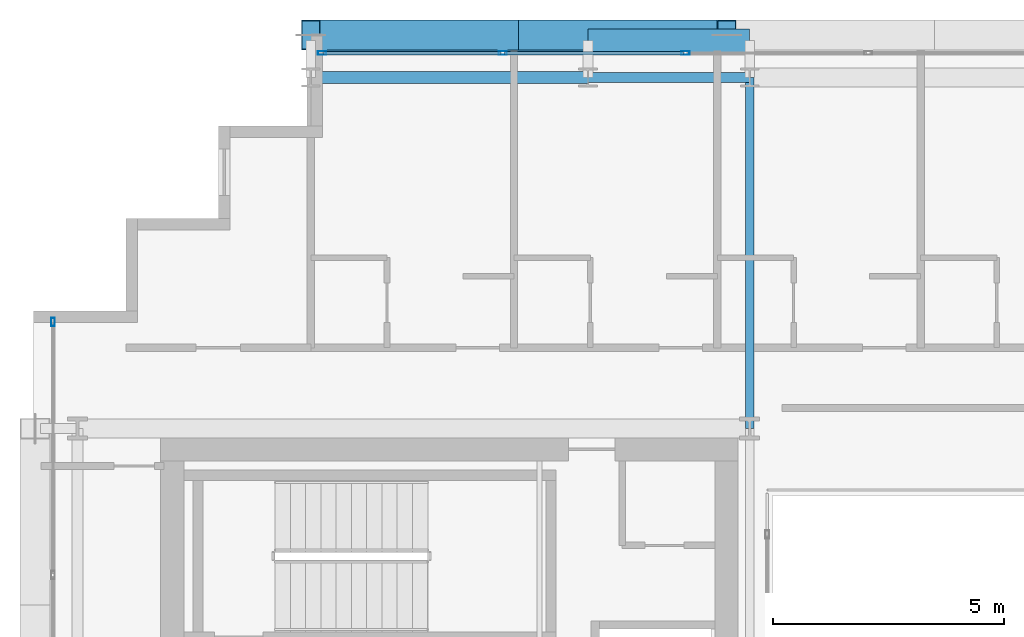
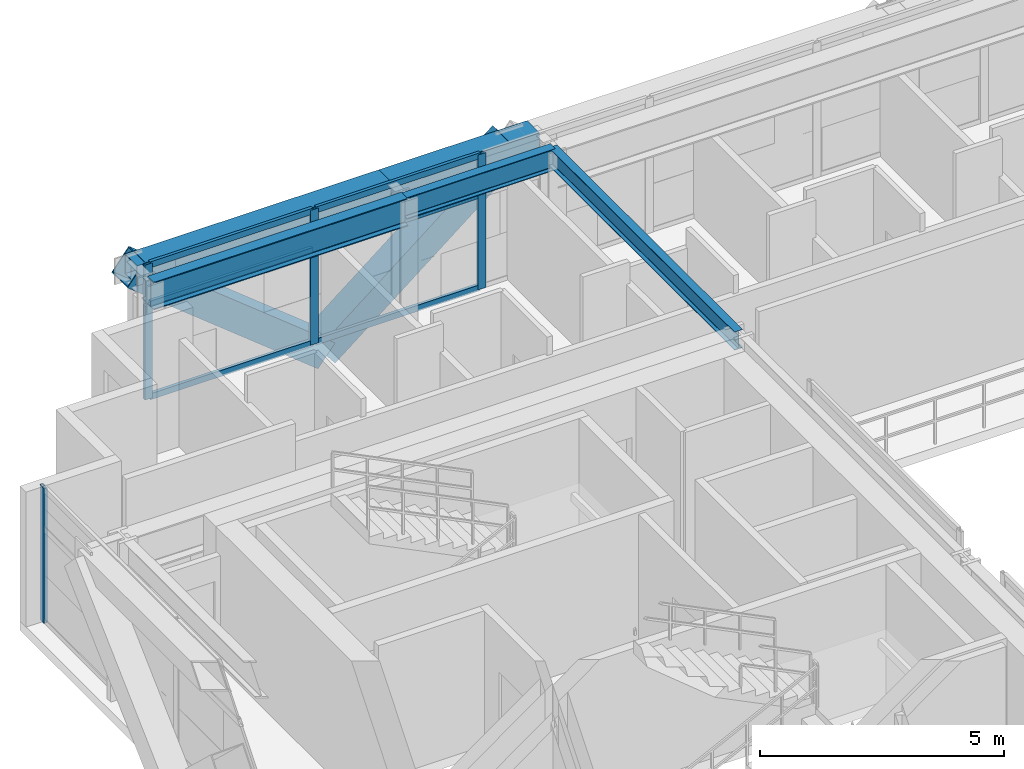
# One storey, part 20 of 38: 12 members, 5 beams, 2 elements without a shape of their own.
"""IFC4 building model written with IfcOpenShell, lengths in metres."""

from ifc_helpers import new_model, si_unit, direction, frame, origin, origin_2d, place, context, subcontext, project, spatial, hollow_rectangle, i_section, extrude, source, transform, mapped, material, layer, layer_set, material_profile, profile_set, type_object, element, aggregate, save


model = new_model("IFC4")

# Units and contexts
model_context = context("Model", 3, precision=1e-05, world=origin(), true_north=direction((0.0, 1.0)))
body_context = subcontext(model_context, "Body", "Model", "MODEL_VIEW")
ifc_project = project(units=[si_unit("LENGTHUNIT", "METRE"), si_unit("AREAUNIT", "SQUARE_METRE"), si_unit("VOLUMEUNIT", "CUBIC_METRE"), si_unit("PLANEANGLEUNIT", "RADIAN"), si_unit("MASSUNIT", "GRAM", prefix="KILO")], contexts=[model_context])

# Site, building, storey
site_placement = place(None, origin())
site = spatial("IfcSite", under=ifc_project, at=site_placement, CompositionType="ELEMENT")
building_placement = place(site_placement, origin())
building = spatial("IfcBuilding", under=site, at=building_placement, Name="Ocotamira Hotel", CompositionType="ELEMENT")
storey_placement = place(building_placement, frame((0.0, 0.0, 170.39990234375)))
storey = spatial("IfcBuildingStorey", under=building, at=storey_placement, Name="L42", CompositionType="ELEMENT", Elevation=170.39990234375)

# Beams
ifc_material_1 = material(Name="Steel ASTM A992 Grade 50", Category="steel")
ifc_material_profile_1 = material_profile(ifc_material_1, i_section(OverallWidth=0.256103515625, OverallDepth=0.693115234375, WebThickness=0.014404296875, FlangeThickness=0.023681640625, FilletRadius=0.01611328125, at=origin_2d()), Name="W27X114")
ifc_profile_set_1 = profile_set([ifc_material_profile_1], Name="Steel ASTM A992 Grade 50")
beam_type_1 = type_object("IfcBeamType", Name="BM-PRIM-W27X114", PredefinedType="BEAM", material=ifc_profile_set_1)
shared_shape_1 = source(origin(), body_context, "Body", "SweptSolid", [
    extrude(i_section(OverallWidth=0.256103515625, OverallDepth=0.693115234375, WebThickness=0.014404296875, FlangeThickness=0.023681640625, FilletRadius=0.01611328125, at=origin_2d()), origin(), (0.0, 0.0, 1.0), 6.0),
])
beam_1_placement = place(storey_placement, frame((14.0, 45.050048828125, 3.023681640625), z_axis=(1.0, 0.0, 0.0), x_axis=(0.0, 1.0, 0.0)))
element("IfcBeam", 1, at=beam_1_placement, inside=storey, type_object=beam_type_1, Name="L42 Girder Y45.05 X14-20", PredefinedType="BEAM", context=body_context, shape_type="MappedRepresentation", body=[
    mapped(shared_shape_1, transform((0.0, 0.0, 0.0), scale=1.0)),
])
ifc_material_profile_2 = material_profile(ifc_material_1, i_section(OverallWidth=0.2099609375, OverallDepth=0.537109375, WebThickness=0.010986328125, FlangeThickness=0.017333984375, FilletRadius=0.012939453125, at=origin_2d()), Name="W21X68")
ifc_profile_set_2 = profile_set([ifc_material_profile_2], Name="Steel ASTM A992 Grade 50")
beam_type_2 = type_object("IfcBeamType", Name="BM-SEC-W21X68", PredefinedType="JOIST", material=ifc_profile_set_2)
shared_shape_2 = source(origin(), body_context, "Body", "SweptSolid", [
    extrude(i_section(OverallWidth=0.2099609375, OverallDepth=0.537109375, WebThickness=0.010986328125, FlangeThickness=0.017333984375, FilletRadius=0.012939453125, at=origin_2d()), origin(), (0.0, 0.0, 1.0), 3.5),
])
beam_2_placement = place(storey_placement, frame((20.0, 45.050048828125, 3.1015625), z_axis=(1.0, 0.0, 0.0), x_axis=(0.0, 1.0, 0.0)))
element("IfcBeam", 2, at=beam_2_placement, inside=storey, type_object=beam_type_2, Name="L42 Girder Y45.05 X20-23.5", PredefinedType="JOIST", context=body_context, shape_type="MappedRepresentation", body=[
    mapped(shared_shape_2, transform((0.0, 0.0, 0.0), scale=1.0)),
])
ifc_material_2 = material(Name="Steel ASTM A500 Grade C", Category="steel")
ifc_material_profile_3 = material_profile(ifc_material_2, hollow_rectangle(XDim=0.5, YDim=0.5, WallThickness=0.02001953125, at=origin_2d()), Name="HSS500X500X20")
ifc_profile_set_3 = profile_set([ifc_material_profile_3], Name="Steel ASTM A500 Grade C")
beam_type_3 = type_object("IfcBeamType", Name="BM-SPAN-HSS500", PredefinedType="USERDEFINED", material=ifc_profile_set_3)
shared_shape_3 = source(origin(), body_context, "Body", "SweptSolid", [
    extrude(hollow_rectangle(XDim=0.5, YDim=0.5, WallThickness=0.02001953125, at=origin_2d()), origin(), (0.0, 0.0, 1.0), 6.0),
])
beam_3_placement = place(storey_placement, frame((14.0, 45.85009765625, 3.1201171875), z_axis=(1.0, 0.0, 0.0), x_axis=(0.0, 1.0, 0.0)))
element("IfcBeam", 3, at=beam_3_placement, inside=storey, type_object=beam_type_3, Name="L42 Edge Spandrel N X14-20", ObjectType="SPANDREL", PredefinedType="USERDEFINED", context=body_context, shape_type="MappedRepresentation", body=[
    mapped(shared_shape_3, transform((0.0, 0.0, 0.0), scale=1.0)),
])
shared_shape_4 = source(origin(), body_context, "Body", "SweptSolid", [
    extrude(hollow_rectangle(XDim=0.5, YDim=0.5, WallThickness=0.02001953125, at=origin_2d()), origin(), (0.0, 0.0, 1.0), 3.5),
])
beam_4_placement = place(storey_placement, frame((20.0, 45.85009765625, 3.1201171875), z_axis=(1.0, 0.0, 0.0), x_axis=(0.0, 1.0, 0.0)))
element("IfcBeam", 4, at=beam_4_placement, inside=storey, type_object=beam_type_3, Name="L42 Edge Spandrel N X20-23.5", ObjectType="SPANDREL", PredefinedType="USERDEFINED", context=body_context, shape_type="MappedRepresentation", body=[
    mapped(shared_shape_4, transform((0.0, 0.0, 0.0), scale=1.0)),
])
ifc_material_profile_4 = material_profile(ifc_material_1, i_section(OverallWidth=0.18994140625, OverallDepth=0.45703125, WebThickness=0.009033203125, FlangeThickness=0.014404296875, FilletRadius=0.010009765625, at=origin_2d()), Name="W18X50")
ifc_profile_set_4 = profile_set([ifc_material_profile_4], Name="Steel ASTM A992 Grade 50")
beam_type_4 = type_object("IfcBeamType", Name="BM-SEC-W18X50", PredefinedType="JOIST", material=ifc_profile_set_4)
shared_shape_5 = source(origin(), body_context, "Body", "SweptSolid", [
    extrude(i_section(OverallWidth=0.18994140625, OverallDepth=0.45703125, WebThickness=0.009033203125, FlangeThickness=0.014404296875, FilletRadius=0.010009765625, at=origin_2d()), origin(), (0.0, 0.0, 1.0), 7.60009765625),
])
beam_5_placement = place(storey_placement, frame((23.5, 37.449951171875, 3.1416015625), z_axis=(0.0, 1.0, 0.0), x_axis=(-1.0, 0.0, 0.0)))
element("IfcBeam", 5, at=beam_5_placement, inside=storey, type_object=beam_type_4, Name="L42 Beam X23.5 Y37.45-45.05", PredefinedType="JOIST", context=body_context, shape_type="MappedRepresentation", body=[
    mapped(shared_shape_5, transform((0.0, 0.0, 0.0), scale=1.0)),
])

# Members
ifc_material_3 = material(Name="Pale-metal coated steel ASTM A913 Grade 65", Category="steel")
ifc_material_profile_5 = material_profile(ifc_material_3, hollow_rectangle(XDim=0.64990234375, YDim=0.64990234375, WallThickness=0.02197265625, at=origin_2d()), Name="BOX650X650X22")
ifc_profile_set_5 = profile_set([ifc_material_profile_5], Name="Pale-metal coated steel ASTM A913 Grade 65")
member_type_1 = type_object("IfcMemberType", Name="MEM-EXO-BOX650", PredefinedType="BRACE", material=ifc_profile_set_5)
shared_shape_6 = source(origin(), body_context, "Body", "SweptSolid", [
    extrude(hollow_rectangle(XDim=0.64990234375, YDim=0.64990234375, WallThickness=0.02197265625, at=origin_2d()), origin(), (0.0, 0.0, 1.0), 5.762939453125),
])
for number, where, z_axis, x_axis, name in (
    (6, (18.5, 45.969970703125, -0.47998046875), (-0.780860543151, 0.0, 0.624705380279), (0.0, -1.0, 0.0), "L42 Exoskeleton Diagrid N0.1"),
    (7, (18.5, 45.969970703125, -0.47998046875), (0.780860543151, 0.0, 0.624705380279), (0.0, 1.0, 0.0), "L42 Exoskeleton Diagrid N0.2"),
):
    element("IfcMember", number, at=place(storey_placement, frame(where, z_axis=z_axis, x_axis=x_axis)), inside=storey, type_object=member_type_1, Name=name, PredefinedType="BRACE", context=body_context, shape_type="MappedRepresentation", body=[
        mapped(shared_shape_6, transform((0.0, 0.0, 0.0), scale=1.0)),
    ])

# Curtain wall, members
ifc_material_4 = material(Name="Anodised pale-metal aluminium and solar glass", Category="aluminium")
ifc_layer = layer(ifc_material_4, 0.199951171875)
ifc_layer_set = layer_set([ifc_layer], Name="Anodised pale-metal aluminium and solar glass")
curtain_wall_type = type_object("IfcCurtainWallType", Name="CW-SYS4-Z3", PredefinedType="NOTDEFINED", material=ifc_layer_set)
curtain_wall_1_placement = place(storey_placement, origin())
curtain_wall_1 = element("IfcCurtainWall", 8, at=curtain_wall_1_placement, inside=storey, type_object=curtain_wall_type, Name="L42 Curtain Wall CW-4 CW-L42-N", PredefinedType="NOTDEFINED")
ifc_material_5 = material(Name="Anodised pale-metal aluminium 6063-T6", Category="aluminium")
ifc_material_profile_6 = material_profile(ifc_material_5, hollow_rectangle(XDim=0.074951171875, YDim=0.14990234375, WallThickness=0.006103515625, at=origin_2d()), Name="HSS150X75X6")
ifc_profile_set_6 = profile_set([ifc_material_profile_6], Name="Anodised pale-metal aluminium 6063-T6")
member_type_2 = type_object("IfcMemberType", Name="CWT-150X75", PredefinedType="USERDEFINED", material=ifc_profile_set_6)
shared_shape_7 = source(origin(), body_context, "Body", "SweptSolid", [
    extrude(hollow_rectangle(XDim=0.074951171875, YDim=0.14990234375, WallThickness=0.006103515625, at=origin_2d()), origin(), (0.0, 0.0, 1.0), 3.83544921875),
])
member_1_placement = place(storey_placement, frame((14.280029296875, 45.580078125, 0.03759765625), z_axis=(1.0, 0.0, 0.0), x_axis=(0.0, 1.0, 0.0)))
member_1 = element("IfcMember", 9, at=member_1_placement, type_object=member_type_2, Name="CW-4 transom 1.1", ObjectType="TRANSOM", PredefinedType="USERDEFINED", context=body_context, shape_type="MappedRepresentation", body=[
    mapped(shared_shape_7, transform((0.0, 0.0, 0.0), scale=1.0)),
])
member_2_placement = place(storey_placement, frame((14.280029296875, 45.580078125, 2.35009765625), z_axis=(1.0, 0.0, 0.0), x_axis=(0.0, 1.0, 0.0)))
member_2 = element("IfcMember", 10, at=member_2_placement, type_object=member_type_2, Name="CW-4 transom 1.2", ObjectType="TRANSOM", PredefinedType="USERDEFINED", context=body_context, shape_type="MappedRepresentation", body=[
    mapped(shared_shape_7, transform((0.0, 0.0, 0.0), scale=1.0)),
])
member_3_placement = place(storey_placement, frame((14.280029296875, 45.580078125, 3.33251953125), z_axis=(1.0, 0.0, 0.0), x_axis=(0.0, 1.0, 0.0)))
member_3 = element("IfcMember", 11, at=member_3_placement, type_object=member_type_2, Name="CW-4 transom 1.3", ObjectType="TRANSOM", PredefinedType="USERDEFINED", context=body_context, shape_type="MappedRepresentation", body=[
    mapped(shared_shape_7, transform((0.0, 0.0, 0.0), scale=1.0)),
])
shared_shape_8 = source(origin(), body_context, "Body", "SweptSolid", [
    extrude(hollow_rectangle(XDim=0.074951171875, YDim=0.14990234375, WallThickness=0.006103515625, at=origin_2d()), origin(), (0.0, 0.0, 1.0), 3.87548828125),
])
member_4_placement = place(storey_placement, frame((18.195556640625, 45.580078125, 0.03759765625), z_axis=(1.0, 0.0, 0.0), x_axis=(0.0, 1.0, 0.0)))
member_4 = element("IfcMember", 12, at=member_4_placement, type_object=member_type_2, Name="CW-4 transom 2.1", ObjectType="TRANSOM", PredefinedType="USERDEFINED", context=body_context, shape_type="MappedRepresentation", body=[
    mapped(shared_shape_8, transform((0.0, 0.0, 0.0), scale=1.0)),
])
member_5_placement = place(storey_placement, frame((18.195556640625, 45.580078125, 2.35009765625), z_axis=(1.0, 0.0, 0.0), x_axis=(0.0, 1.0, 0.0)))
member_5 = element("IfcMember", 13, at=member_5_placement, type_object=member_type_2, Name="CW-4 transom 2.2", ObjectType="TRANSOM", PredefinedType="USERDEFINED", context=body_context, shape_type="MappedRepresentation", body=[
    mapped(shared_shape_8, transform((0.0, 0.0, 0.0), scale=1.0)),
])
member_6_placement = place(storey_placement, frame((18.195556640625, 45.580078125, 3.33251953125), z_axis=(1.0, 0.0, 0.0), x_axis=(0.0, 1.0, 0.0)))
member_6 = element("IfcMember", 14, at=member_6_placement, type_object=member_type_2, Name="CW-4 transom 2.3", ObjectType="TRANSOM", PredefinedType="USERDEFINED", context=body_context, shape_type="MappedRepresentation", body=[
    mapped(shared_shape_8, transform((0.0, 0.0, 0.0), scale=1.0)),
])
ifc_material_profile_7 = material_profile(ifc_material_5, hollow_rectangle(XDim=0.080078125, YDim=0.179931640625, WallThickness=0.006103515625, at=origin_2d()), Name="HSS180X80X6")
ifc_profile_set_7 = profile_set([ifc_material_profile_7], Name="Anodised pale-metal aluminium 6063-T6")
member_type_3 = type_object("IfcMemberType", Name="CWM-180X75", PredefinedType="MULLION", material=ifc_profile_set_7)
shared_shape_9 = source(origin(), body_context, "Body", "SweptSolid", [
    extrude(hollow_rectangle(XDim=0.080078125, YDim=0.179931640625, WallThickness=0.006103515625, at=origin_2d()), origin(), (0.0, 0.0, 1.0), 3.3701171875),
])
member_7_placement = place(storey_placement, frame((14.239990234375, 45.580078125, 0.0), z_axis=(0.0, 0.0, 1.0), x_axis=(0.0, 1.0, 0.0)))
member_7 = element("IfcMember", 15, at=member_7_placement, type_object=member_type_3, Name="CW-4 mullion 1", PredefinedType="MULLION", context=body_context, shape_type="MappedRepresentation", body=[
    mapped(shared_shape_9, transform((0.0, 0.0, 0.0), scale=1.0)),
])
member_8_placement = place(storey_placement, frame((18.155517578125, 45.580078125, 0.0), z_axis=(0.0, 0.0, 1.0), x_axis=(0.0, 1.0, 0.0)))
member_8 = element("IfcMember", 16, at=member_8_placement, type_object=member_type_3, Name="CW-4 mullion 2", PredefinedType="MULLION", context=body_context, shape_type="MappedRepresentation", body=[
    mapped(shared_shape_9, transform((0.0, 0.0, 0.0), scale=1.0)),
])
member_9_placement = place(storey_placement, frame((22.111083984375, 45.580078125, 0.0), z_axis=(0.0, 0.0, 1.0), x_axis=(0.0, 1.0, 0.0)))
member_9 = element("IfcMember", 17, at=member_9_placement, type_object=member_type_3, Name="CW-4 mullion 3", PredefinedType="MULLION", context=body_context, shape_type="MappedRepresentation", body=[
    mapped(shared_shape_9, transform((0.0, 0.0, 0.0), scale=1.0)),
])
aggregate(curtain_wall_1, [member_7, member_8, member_9, member_1, member_2, member_3, member_4, member_5, member_6])

# Curtain wall, member
curtain_wall_2_placement = place(storey_placement, origin())
curtain_wall_2 = element("IfcCurtainWall", 18, at=curtain_wall_2_placement, inside=storey, type_object=curtain_wall_type, Name="L42 Curtain Wall CW-4 CW-L42-W", PredefinedType="NOTDEFINED")
member_10_placement = place(storey_placement, frame((8.419921875, 39.760009765625, 0.0), z_axis=(0.0, 0.0, 1.0), x_axis=(-1.0, 0.0, 0.0)))
member_10 = element("IfcMember", 19, at=member_10_placement, type_object=member_type_3, Name="CW-4 mullion 6", PredefinedType="MULLION", context=body_context, shape_type="MappedRepresentation", body=[
    mapped(shared_shape_9, transform((0.0, 0.0, 0.0), scale=1.0)),
])
aggregate(curtain_wall_2, [member_10])

save(model, "model.ifc")
